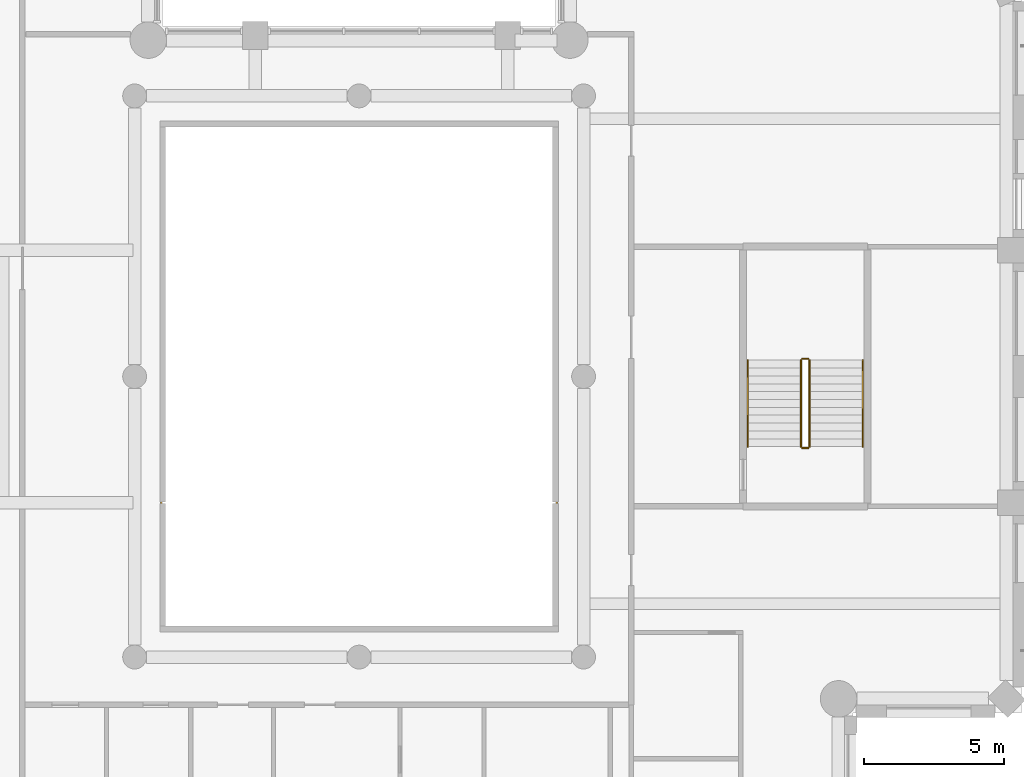
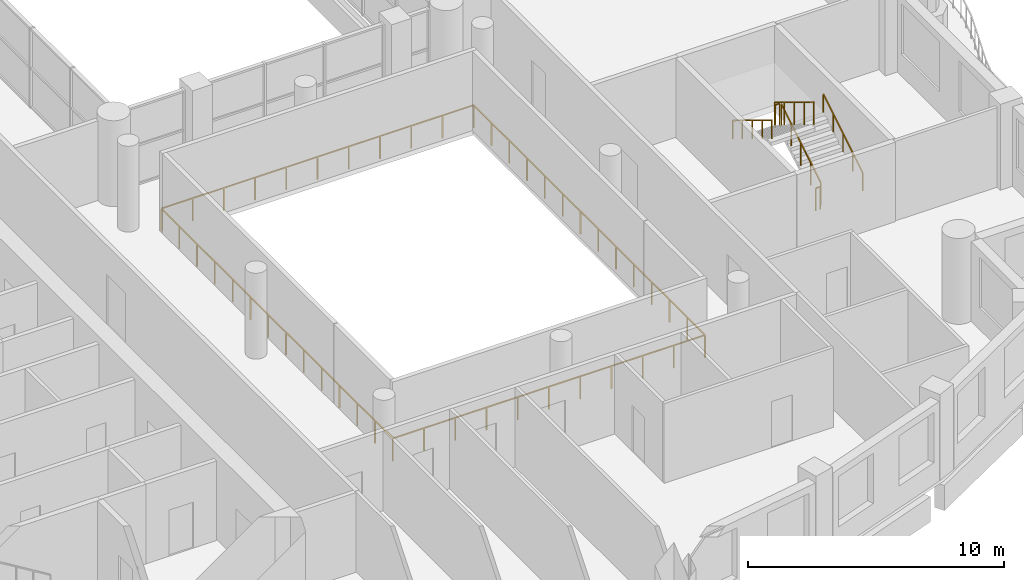
# One storey, part 11 of 14: 7 railings.
"""IFC4 building model written with IfcOpenShell, lengths in metres."""

from ifc_helpers import new_model, si_unit, direction, frame, origin, origin_2d, place, context, subcontext, project, spatial, rectangle, extrude, material, type_object, element, save


model = new_model("IFC4")

# Units and contexts
model_context = context("Model", 3, precision=1e-05, world=origin(), true_north=direction((0.0, 1.0)))
body_context = subcontext(model_context, "Body", "Model", "MODEL_VIEW")
ifc_project = project(units=[si_unit("LENGTHUNIT", "METRE"), si_unit("AREAUNIT", "SQUARE_METRE"), si_unit("VOLUMEUNIT", "CUBIC_METRE"), si_unit("PLANEANGLEUNIT", "RADIAN"), si_unit("MASSUNIT", "GRAM", prefix="KILO")], contexts=[model_context])

# Site, building, storey
site_placement = place(None, origin())
site = spatial("IfcSite", under=ifc_project, at=site_placement, CompositionType="ELEMENT")
building_placement = place(site_placement, origin())
building = spatial("IfcBuilding", under=site, at=building_placement, Name="Cypress Arch Tower", CompositionType="ELEMENT")
storey_placement = place(building_placement, frame((0.0, 0.0, 272.10009765625)))
storey = spatial("IfcBuildingStorey", under=building, at=storey_placement, Name="L61", CompositionType="ELEMENT", Elevation=272.10009765625)

# Railings
ifc_material_1 = material(Name="Stainless steel posts and handrail, laminated glass infill", Category="steel")
railing_type_1 = type_object("IfcRailingType", Name="Atrium guard GR1100A", PredefinedType="GUARDRAIL", material=ifc_material_1)
railing_1_placement = place(storey_placement, frame((8.050048828125, -9.050048828125, 0.0)))
element("IfcRailing", 1, at=railing_1_placement, inside=storey, type_object=railing_type_1, Name="Atrium guard L61", PredefinedType="GUARDRAIL", context=body_context, shape_type="SweptSolid", body=[
    extrude(rectangle(XDim=0.050048828125, YDim=0.050048828125, at=origin_2d()), frame((0.0, 0.0, 1.0751953125), z_axis=(-1.0, 0.0, 0.0), x_axis=(0.0, -1.0, 0.0)), (0.0, 0.0, 1.0), 14.10009765625),
    extrude(rectangle(XDim=0.050048828125, YDim=0.050048828125, at=origin_2d()), frame((-14.10009765625, 0.0, 1.0751953125), z_axis=(0.0, 1.0, 0.0), x_axis=(-1.0, 0.0, 0.0)), (0.0, 0.0, 1.0), 18.10009765625),
    extrude(rectangle(XDim=0.050048828125, YDim=0.050048828125, at=origin_2d()), frame((-14.10009765625, 18.10009765625, 1.0751953125), z_axis=(1.0, 0.0, 0.0), x_axis=(0.0, 1.0, 0.0)), (0.0, 0.0, 1.0), 14.10009765625),
    extrude(rectangle(XDim=0.050048828125, YDim=0.050048828125, at=origin_2d()), frame((0.0, 18.10009765625, 1.0751953125), z_axis=(0.0, -1.0, 0.0), x_axis=(1.0, 0.0, 0.0)), (0.0, 0.0, 1.0), 18.10009765625),
    extrude(rectangle(XDim=0.050048828125, YDim=0.050048828125, at=origin_2d()), origin(), (0.0, 0.0, 1.0), 1.050048828125),
    extrude(rectangle(XDim=0.050048828125, YDim=0.050048828125, at=origin_2d()), frame((-1.409912109375, 0.0, 0.0)), (0.0, 0.0, 1.0), 1.050048828125),
    extrude(rectangle(XDim=0.050048828125, YDim=0.050048828125, at=origin_2d()), frame((-2.820068359375, 0.0, 0.0)), (0.0, 0.0, 1.0), 1.050048828125),
    extrude(rectangle(XDim=0.050048828125, YDim=0.050048828125, at=origin_2d()), frame((-4.22998046875, 0.0, 0.0)), (0.0, 0.0, 1.0), 1.050048828125),
    extrude(rectangle(XDim=0.050048828125, YDim=0.050048828125, at=origin_2d()), frame((-5.64013671875, 0.0, 0.0)), (0.0, 0.0, 1.0), 1.050048828125),
    extrude(rectangle(XDim=0.050048828125, YDim=0.050048828125, at=origin_2d()), frame((-7.050048828125, 0.0, 0.0)), (0.0, 0.0, 1.0), 1.050048828125),
    extrude(rectangle(XDim=0.050048828125, YDim=0.050048828125, at=origin_2d()), frame((-8.4599609375, 0.0, 0.0)), (0.0, 0.0, 1.0), 1.050048828125),
    extrude(rectangle(XDim=0.050048828125, YDim=0.050048828125, at=origin_2d()), frame((-9.8701171875, 0.0, 0.0)), (0.0, 0.0, 1.0), 1.050048828125),
    extrude(rectangle(XDim=0.050048828125, YDim=0.050048828125, at=origin_2d()), frame((-11.280029296875, 0.0, 0.0)), (0.0, 0.0, 1.0), 1.050048828125),
    extrude(rectangle(XDim=0.050048828125, YDim=0.050048828125, at=origin_2d()), frame((-12.690185546875, 0.0, 0.0)), (0.0, 0.0, 1.0), 1.050048828125),
    extrude(rectangle(XDim=0.050048828125, YDim=0.050048828125, at=origin_2d()), frame((-14.10009765625, 0.0, 0.0)), (0.0, 0.0, 1.0), 1.050048828125),
    extrude(rectangle(XDim=0.050048828125, YDim=0.050048828125, at=origin_2d()), frame((-14.10009765625, 1.392333984375, 0.0)), (0.0, 0.0, 1.0), 1.050048828125),
    extrude(rectangle(XDim=0.050048828125, YDim=0.050048828125, at=origin_2d()), frame((-14.10009765625, 2.78466796875, 0.0)), (0.0, 0.0, 1.0), 1.050048828125),
    extrude(rectangle(XDim=0.050048828125, YDim=0.050048828125, at=origin_2d()), frame((-14.10009765625, 4.177001953125, 0.0)), (0.0, 0.0, 1.0), 1.050048828125),
    extrude(rectangle(XDim=0.050048828125, YDim=0.050048828125, at=origin_2d()), frame((-14.10009765625, 5.5693359375, 0.0)), (0.0, 0.0, 1.0), 1.050048828125),
    extrude(rectangle(XDim=0.050048828125, YDim=0.050048828125, at=origin_2d()), frame((-14.10009765625, 6.961669921875, 0.0)), (0.0, 0.0, 1.0), 1.050048828125),
    extrude(rectangle(XDim=0.050048828125, YDim=0.050048828125, at=origin_2d()), frame((-14.10009765625, 8.35400390625, 0.0)), (0.0, 0.0, 1.0), 1.050048828125),
    extrude(rectangle(XDim=0.050048828125, YDim=0.050048828125, at=origin_2d()), frame((-14.10009765625, 9.74609375, 0.0)), (0.0, 0.0, 1.0), 1.050048828125),
    extrude(rectangle(XDim=0.050048828125, YDim=0.050048828125, at=origin_2d()), frame((-14.10009765625, 11.138427734375, 0.0)), (0.0, 0.0, 1.0), 1.050048828125),
    extrude(rectangle(XDim=0.050048828125, YDim=0.050048828125, at=origin_2d()), frame((-14.10009765625, 12.53076171875, 0.0)), (0.0, 0.0, 1.0), 1.050048828125),
    extrude(rectangle(XDim=0.050048828125, YDim=0.050048828125, at=origin_2d()), frame((-14.10009765625, 13.923095703125, 0.0)), (0.0, 0.0, 1.0), 1.050048828125),
    extrude(rectangle(XDim=0.050048828125, YDim=0.050048828125, at=origin_2d()), frame((-14.10009765625, 15.3154296875, 0.0)), (0.0, 0.0, 1.0), 1.050048828125),
    extrude(rectangle(XDim=0.050048828125, YDim=0.050048828125, at=origin_2d()), frame((-14.10009765625, 16.707763671875, 0.0)), (0.0, 0.0, 1.0), 1.050048828125),
    extrude(rectangle(XDim=0.050048828125, YDim=0.050048828125, at=origin_2d()), frame((-14.10009765625, 18.10009765625, 0.0)), (0.0, 0.0, 1.0), 1.050048828125),
    extrude(rectangle(XDim=0.050048828125, YDim=0.050048828125, at=origin_2d()), frame((-12.690185546875, 18.10009765625, 0.0)), (0.0, 0.0, 1.0), 1.050048828125),
    extrude(rectangle(XDim=0.050048828125, YDim=0.050048828125, at=origin_2d()), frame((-11.280029296875, 18.10009765625, 0.0)), (0.0, 0.0, 1.0), 1.050048828125),
    extrude(rectangle(XDim=0.050048828125, YDim=0.050048828125, at=origin_2d()), frame((-9.8701171875, 18.10009765625, 0.0)), (0.0, 0.0, 1.0), 1.050048828125),
    extrude(rectangle(XDim=0.050048828125, YDim=0.050048828125, at=origin_2d()), frame((-8.4599609375, 18.10009765625, 0.0)), (0.0, 0.0, 1.0), 1.050048828125),
    extrude(rectangle(XDim=0.050048828125, YDim=0.050048828125, at=origin_2d()), frame((-7.050048828125, 18.10009765625, 0.0)), (0.0, 0.0, 1.0), 1.050048828125),
    extrude(rectangle(XDim=0.050048828125, YDim=0.050048828125, at=origin_2d()), frame((-5.64013671875, 18.10009765625, 0.0)), (0.0, 0.0, 1.0), 1.050048828125),
    extrude(rectangle(XDim=0.050048828125, YDim=0.050048828125, at=origin_2d()), frame((-4.22998046875, 18.10009765625, 0.0)), (0.0, 0.0, 1.0), 1.050048828125),
    extrude(rectangle(XDim=0.050048828125, YDim=0.050048828125, at=origin_2d()), frame((-2.820068359375, 18.10009765625, 0.0)), (0.0, 0.0, 1.0), 1.050048828125),
    extrude(rectangle(XDim=0.050048828125, YDim=0.050048828125, at=origin_2d()), frame((-1.409912109375, 18.10009765625, 0.0)), (0.0, 0.0, 1.0), 1.050048828125),
    extrude(rectangle(XDim=0.050048828125, YDim=0.050048828125, at=origin_2d()), frame((0.0, 18.10009765625, 0.0)), (0.0, 0.0, 1.0), 1.050048828125),
    extrude(rectangle(XDim=0.050048828125, YDim=0.050048828125, at=origin_2d()), frame((0.0, 16.707763671875, 0.0)), (0.0, 0.0, 1.0), 1.050048828125),
    extrude(rectangle(XDim=0.050048828125, YDim=0.050048828125, at=origin_2d()), frame((0.0, 15.3154296875, 0.0)), (0.0, 0.0, 1.0), 1.050048828125),
    extrude(rectangle(XDim=0.050048828125, YDim=0.050048828125, at=origin_2d()), frame((0.0, 13.923095703125, 0.0)), (0.0, 0.0, 1.0), 1.050048828125),
    extrude(rectangle(XDim=0.050048828125, YDim=0.050048828125, at=origin_2d()), frame((0.0, 12.53076171875, 0.0)), (0.0, 0.0, 1.0), 1.050048828125),
    extrude(rectangle(XDim=0.050048828125, YDim=0.050048828125, at=origin_2d()), frame((0.0, 11.138427734375, 0.0)), (0.0, 0.0, 1.0), 1.050048828125),
    extrude(rectangle(XDim=0.050048828125, YDim=0.050048828125, at=origin_2d()), frame((0.0, 9.74609375, 0.0)), (0.0, 0.0, 1.0), 1.050048828125),
    extrude(rectangle(XDim=0.050048828125, YDim=0.050048828125, at=origin_2d()), frame((0.0, 8.35400390625, 0.0)), (0.0, 0.0, 1.0), 1.050048828125),
    extrude(rectangle(XDim=0.050048828125, YDim=0.050048828125, at=origin_2d()), frame((0.0, 6.961669921875, 0.0)), (0.0, 0.0, 1.0), 1.050048828125),
    extrude(rectangle(XDim=0.050048828125, YDim=0.050048828125, at=origin_2d()), frame((0.0, 5.5693359375, 0.0)), (0.0, 0.0, 1.0), 1.050048828125),
    extrude(rectangle(XDim=0.050048828125, YDim=0.050048828125, at=origin_2d()), frame((0.0, 4.177001953125, 0.0)), (0.0, 0.0, 1.0), 1.050048828125),
    extrude(rectangle(XDim=0.050048828125, YDim=0.050048828125, at=origin_2d()), frame((0.0, 2.78466796875, 0.0)), (0.0, 0.0, 1.0), 1.050048828125),
    extrude(rectangle(XDim=0.050048828125, YDim=0.050048828125, at=origin_2d()), frame((0.0, 1.392333984375, 0.0)), (0.0, 0.0, 1.0), 1.050048828125),
])
ifc_material_2 = material(Name="Black powder-coated steel square bar 48 mm", Category="steel")
railing_type_2 = type_object("IfcRailingType", Name="Stair handrail HR1", PredefinedType="HANDRAIL", material=ifc_material_2)
railing_2_placement = place(storey_placement, frame((18.949951171875, -2.5, 0.170654296875)))
element("IfcRailing", 2, at=railing_2_placement, inside=storey, type_object=railing_type_2, Name="L61 C stair handrail 1", PredefinedType="HANDRAIL", context=body_context, shape_type="SweptSolid", body=[
    extrude(rectangle(XDim=0.048095703125, YDim=0.048095703125, at=origin_2d()), frame((0.0, 0.0, 0.8759765625), z_axis=(0.0, 0.853666305674, 0.52082035152), x_axis=(-1.0, 0.0, 0.0)), (0.0, 0.0, 1.0), 3.608154296875),
    extrude(rectangle(XDim=0.0419921875, YDim=0.0419921875, at=origin_2d()), origin(), (0.0, 0.0, 1.0), 0.851806640625),
    extrude(rectangle(XDim=0.0419921875, YDim=0.0419921875, at=origin_2d()), frame((0.0, 0.77001953125, 0.4697265625)), (0.0, 0.0, 1.0), 0.851806640625),
    extrude(rectangle(XDim=0.0419921875, YDim=0.0419921875, at=origin_2d()), frame((0.0, 1.5400390625, 0.939453125)), (0.0, 0.0, 1.0), 0.851806640625),
    extrude(rectangle(XDim=0.0419921875, YDim=0.0419921875, at=origin_2d()), frame((0.0, 2.31005859375, 1.409423828125)), (0.0, 0.0, 1.0), 0.851806640625),
    extrude(rectangle(XDim=0.0419921875, YDim=0.0419921875, at=origin_2d()), frame((0.0, 3.080078125, 1.879150390625)), (0.0, 0.0, 1.0), 0.851806640625),
])
railing_3_placement = place(storey_placement, frame((14.85009765625, 0.580078125, 2.220703125)))
element("IfcRailing", 3, at=railing_3_placement, inside=storey, type_object=railing_type_2, Name="L61 C stair handrail 2", PredefinedType="HANDRAIL", context=body_context, shape_type="SweptSolid", body=[
    extrude(rectangle(XDim=0.048095703125, YDim=0.048095703125, at=origin_2d()), frame((0.0, 0.0, 0.8759765625), z_axis=(0.0, -0.853666305674, 0.52082035152), x_axis=(1.0, 0.0, 0.0)), (0.0, 0.0, 1.0), 3.608154296875),
    extrude(rectangle(XDim=0.0419921875, YDim=0.0419921875, at=origin_2d()), origin(), (0.0, 0.0, 1.0), 0.851806640625),
    extrude(rectangle(XDim=0.0419921875, YDim=0.0419921875, at=origin_2d()), frame((0.0, -0.77001953125, 0.4697265625)), (0.0, 0.0, 1.0), 0.851806640625),
    extrude(rectangle(XDim=0.0419921875, YDim=0.0419921875, at=origin_2d()), frame((0.0, -1.5400390625, 0.939453125)), (0.0, 0.0, 1.0), 0.851806640625),
    extrude(rectangle(XDim=0.0419921875, YDim=0.0419921875, at=origin_2d()), frame((0.0, -2.31005859375, 1.409423828125)), (0.0, 0.0, 1.0), 0.851806640625),
    extrude(rectangle(XDim=0.0419921875, YDim=0.0419921875, at=origin_2d()), frame((0.0, -3.080078125, 1.879150390625)), (0.0, 0.0, 1.0), 0.851806640625),
])
ifc_material_3 = material(Name="Black powder-coated steel balusters", Category="steel")
railing_type_3 = type_object("IfcRailingType", Name="Stair well guard G1", PredefinedType="GUARDRAIL", material=ifc_material_3)
railing_4_placement = place(storey_placement, frame((17.050048828125, -2.5, 0.170654296875)))
element("IfcRailing", 4, at=railing_4_placement, inside=storey, type_object=railing_type_3, Name="L61 C stair guard 1", PredefinedType="GUARDRAIL", context=body_context, shape_type="SweptSolid", body=[
    extrude(rectangle(XDim=0.048095703125, YDim=0.048095703125, at=origin_2d()), frame((0.0, 0.0, 1.076171875), z_axis=(0.0, 0.853666305674, 0.52082035152), x_axis=(-1.0, 0.0, 0.0)), (0.0, 0.0, 1.0), 3.608154296875),
    extrude(rectangle(XDim=0.0419921875, YDim=0.0419921875, at=origin_2d()), origin(), (0.0, 0.0, 1.0), 1.052001953125),
    extrude(rectangle(XDim=0.0419921875, YDim=0.0419921875, at=origin_2d()), frame((0.0, 0.77001953125, 0.4697265625)), (0.0, 0.0, 1.0), 1.052001953125),
    extrude(rectangle(XDim=0.0419921875, YDim=0.0419921875, at=origin_2d()), frame((0.0, 1.5400390625, 0.939453125)), (0.0, 0.0, 1.0), 1.052001953125),
    extrude(rectangle(XDim=0.0419921875, YDim=0.0419921875, at=origin_2d()), frame((0.0, 2.31005859375, 1.409423828125)), (0.0, 0.0, 1.0), 1.052001953125),
    extrude(rectangle(XDim=0.0419921875, YDim=0.0419921875, at=origin_2d()), frame((0.0, 3.080078125, 1.879150390625)), (0.0, 0.0, 1.0), 1.052001953125),
])
railing_5_placement = place(storey_placement, frame((17.0, 0.6298828125, 2.0498046875)))
element("IfcRailing", 5, at=railing_5_placement, inside=storey, type_object=railing_type_3, Name="L61 C stair guard 2", PredefinedType="GUARDRAIL", context=body_context, shape_type="SweptSolid", body=[
    extrude(rectangle(XDim=0.048095703125, YDim=0.048095703125, at=origin_2d()), frame((0.0, 0.0, 1.076171875), z_axis=(-1.0, 0.0, 0.0), x_axis=(0.0, -1.0, 0.0)), (0.0, 0.0, 1.0), 0.199951171875),
    extrude(rectangle(XDim=0.0419921875, YDim=0.0419921875, at=origin_2d()), origin(), (0.0, 0.0, 1.0), 1.052001953125),
    extrude(rectangle(XDim=0.0419921875, YDim=0.0419921875, at=origin_2d()), frame((-0.199951171875, 0.0, 0.0)), (0.0, 0.0, 1.0), 1.052001953125),
])
railing_6_placement = place(storey_placement, frame((16.75, 0.580078125, 2.220703125)))
element("IfcRailing", 6, at=railing_6_placement, inside=storey, type_object=railing_type_3, Name="L61 C stair guard 3", PredefinedType="GUARDRAIL", context=body_context, shape_type="SweptSolid", body=[
    extrude(rectangle(XDim=0.048095703125, YDim=0.048095703125, at=origin_2d()), frame((0.0, 0.0, 1.076171875), z_axis=(0.0, -0.853666305674, 0.52082035152), x_axis=(1.0, 0.0, 0.0)), (0.0, 0.0, 1.0), 3.608154296875),
    extrude(rectangle(XDim=0.0419921875, YDim=0.0419921875, at=origin_2d()), origin(), (0.0, 0.0, 1.0), 1.052001953125),
    extrude(rectangle(XDim=0.0419921875, YDim=0.0419921875, at=origin_2d()), frame((0.0, -0.77001953125, 0.4697265625)), (0.0, 0.0, 1.0), 1.052001953125),
    extrude(rectangle(XDim=0.0419921875, YDim=0.0419921875, at=origin_2d()), frame((0.0, -1.5400390625, 0.939453125)), (0.0, 0.0, 1.0), 1.052001953125),
    extrude(rectangle(XDim=0.0419921875, YDim=0.0419921875, at=origin_2d()), frame((0.0, -2.31005859375, 1.409423828125)), (0.0, 0.0, 1.0), 1.052001953125),
    extrude(rectangle(XDim=0.0419921875, YDim=0.0419921875, at=origin_2d()), frame((0.0, -3.080078125, 1.879150390625)), (0.0, 0.0, 1.0), 1.052001953125),
])
railing_7_placement = place(storey_placement, frame((17.0, -2.550048828125, 0.0)))
element("IfcRailing", 7, at=railing_7_placement, inside=storey, type_object=railing_type_3, Name="L61 C stair guard 4", PredefinedType="GUARDRAIL", context=body_context, shape_type="SweptSolid", body=[
    extrude(rectangle(XDim=0.048095703125, YDim=0.048095703125, at=origin_2d()), frame((0.0, 0.0, 1.076171875), z_axis=(-1.0, 0.0, 0.0), x_axis=(0.0, -1.0, 0.0)), (0.0, 0.0, 1.0), 0.199951171875),
    extrude(rectangle(XDim=0.0419921875, YDim=0.0419921875, at=origin_2d()), origin(), (0.0, 0.0, 1.0), 1.052001953125),
    extrude(rectangle(XDim=0.0419921875, YDim=0.0419921875, at=origin_2d()), frame((-0.199951171875, 0.0, 0.0)), (0.0, 0.0, 1.0), 1.052001953125),
])

save(model, "model.ifc")
